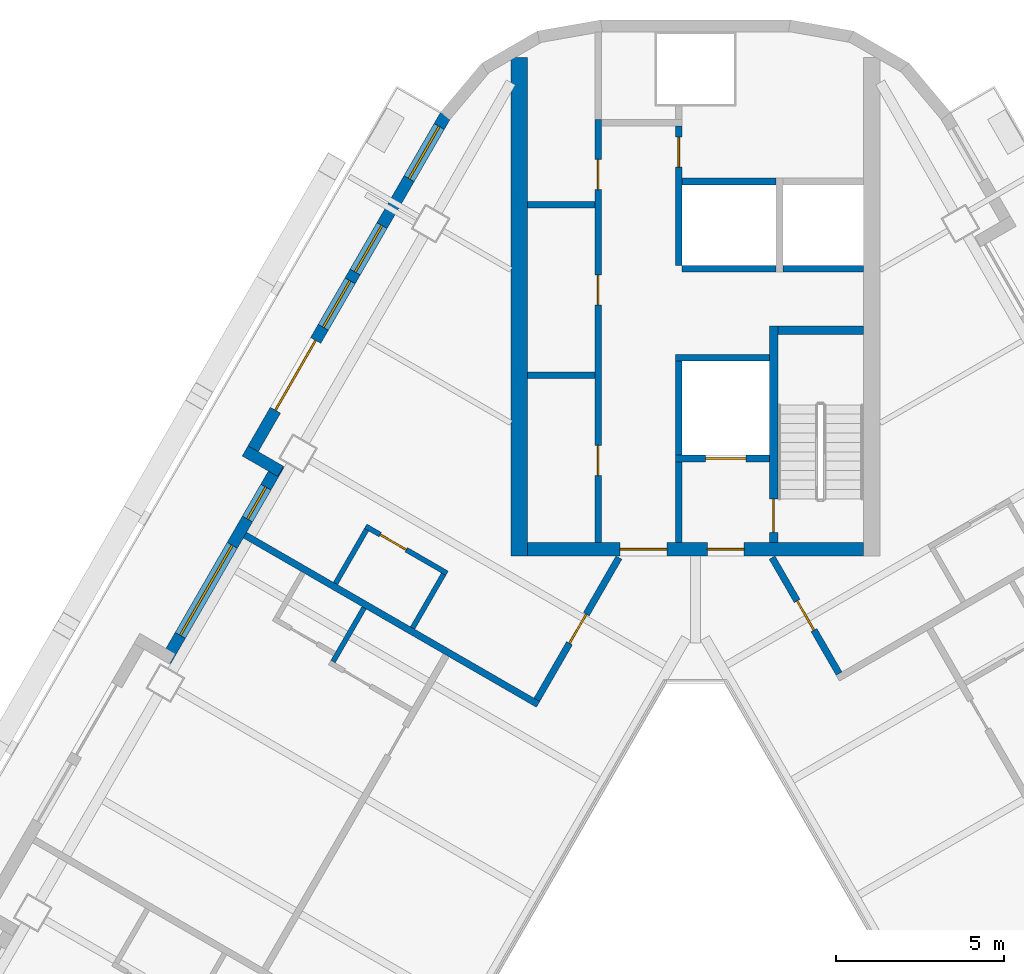
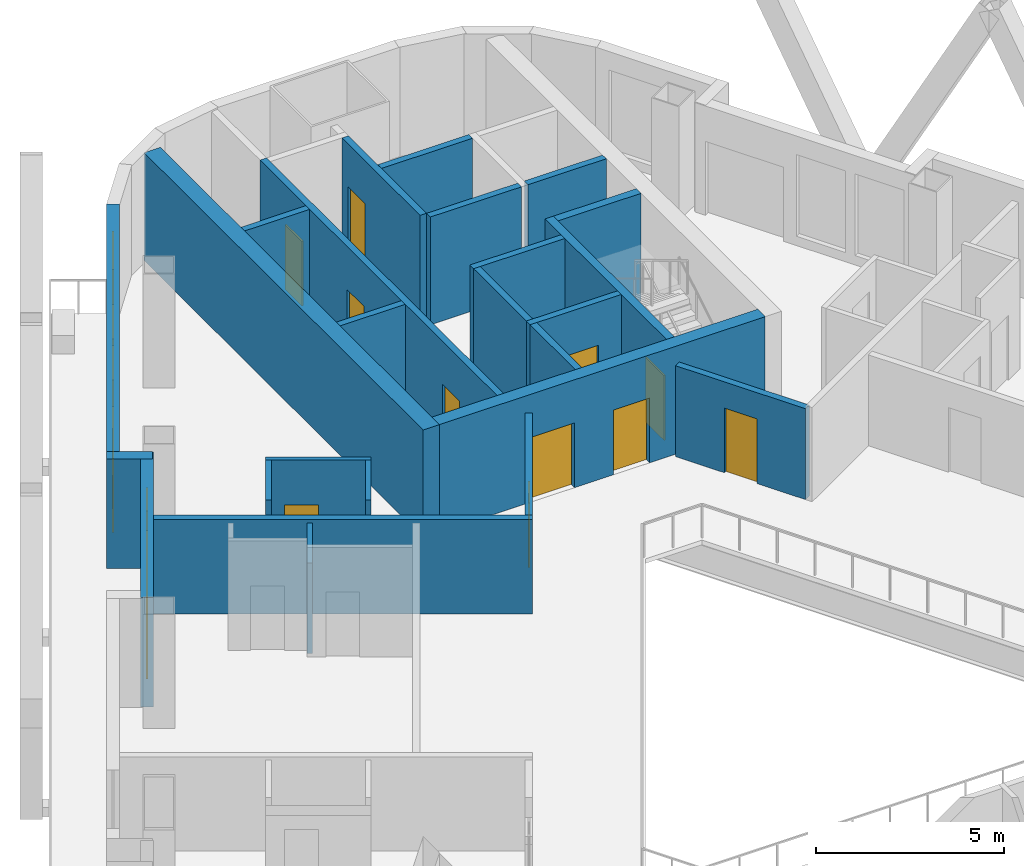
# One storey, part 6 of 13: 25 walls, 12 doors, 5 windows, 17 openings.
"""IFC4 building model written with IfcOpenShell, lengths in metres."""

from ifc_helpers import new_model, si_unit, direction, frame, frame_2d, origin, place, context, subcontext, project, spatial, rectangle, extrude, material, layer, layer_set, type_object, element, fill, save


model = new_model("IFC4")

# Units and contexts
model_context = context("Model", 3, precision=1e-05, world=origin(), true_north=direction((0.0, 1.0)))
body_context = subcontext(model_context, "Body", "Model", "MODEL_VIEW")
ifc_project = project(units=[si_unit("LENGTHUNIT", "METRE"), si_unit("AREAUNIT", "SQUARE_METRE"), si_unit("VOLUMEUNIT", "CUBIC_METRE"), si_unit("PLANEANGLEUNIT", "RADIAN"), si_unit("MASSUNIT", "GRAM", prefix="KILO")], contexts=[model_context])

# Site, building, storey
site_placement = place(None, origin())
site = spatial("IfcSite", under=ifc_project, at=site_placement, CompositionType="ELEMENT")
building_placement = place(site_placement, origin())
building = spatial("IfcBuilding", under=site, at=building_placement, Name="Apuvela Tower Hotel", CompositionType="ELEMENT")
storey_placement = place(building_placement, frame((0.0, 0.0, 183.60009765625)))
storey = spatial("IfcBuildingStorey", under=building, at=storey_placement, Name="L44", CompositionType="ELEMENT", Elevation=183.60009765625)

# Wall, openings, doors
ifc_material_1 = material(Name="Concrete C50/60", Category="concrete")
ifc_layer_1 = layer(ifc_material_1, 0.39990234375)
ifc_layer_set_1 = layer_set([ifc_layer_1], Name="COR-WALL-CORE-400")
wall_type_1 = type_object("IfcWallType", Name="COR-WALL-CORE-400", PredefinedType="SHEAR", material=ifc_layer_set_1)
wall_1_placement = place(storey_placement, frame((5.0, 13.10009765625, 0.0), z_axis=(0.0, 0.0, 1.0), x_axis=(-1.0, 0.0, 0.0)))
wall_1 = element("IfcWall", 1, at=wall_1_placement, inside=storey, type_object=wall_type_1, Name="Core wall N", PredefinedType="SHEAR", context=body_context, shape_type="SweptSolid", body=[
    extrude(rectangle(XDim=10.0, YDim=0.39990234375, at=frame_2d((5.0, 0.0))), origin(), (0.0, 0.0, 1.0), 3.5),
])
opening_1_placement = place(wall_1_placement, frame((3.550048828125, 0.0, 0.0)))
opening_1 = element("IfcOpeningElement", 2, at=opening_1_placement, cuts=wall_1, Name="Opening N-FD", PredefinedType="OPENING", context=body_context, shape_type="SweptSolid", body=[
    extrude(rectangle(XDim=1.10009765625, YDim=2.10009765625, at=frame_2d((0.550048828125, 1.050048828125))), frame((0.0, 0.2099609375, 0.0), z_axis=(0.0, -1.0, 0.0), x_axis=(1.0, 0.0, 0.0)), (0.0, 0.0, 1.0), 0.419921875),
])
opening_2_placement = place(wall_1_placement, frame((5.85009765625, 0.0, 0.0)))
opening_2 = element("IfcOpeningElement", 3, at=opening_2_placement, cuts=wall_1, Name="Opening N-GD", PredefinedType="OPENING", context=body_context, shape_type="SweptSolid", body=[
    extrude(rectangle(XDim=1.39990234375, YDim=2.10009765625, at=frame_2d((0.699951171875, 1.050048828125))), frame((0.0, 0.2099609375, 0.0), z_axis=(0.0, -1.0, 0.0), x_axis=(1.0, 0.0, 0.0)), (0.0, 0.0, 1.0), 0.419921875),
])
ifc_material_2 = material(Name="Steel fire door, powder coated", Category="steel")
door_type_1 = type_object("IfcDoorType", Name="COR-FD-1100", OperationType="NOTDEFINED", PredefinedType="DOOR", material=ifc_material_2)
door_1_placement = place(opening_1_placement, frame((1.10009765625, 0.0, 0.0), z_axis=(0.0, 0.0, 1.0), x_axis=(-1.0, 0.0, 0.0)))
door_1 = element("IfcDoor", 4, at=door_1_placement, inside=storey, type_object=door_type_1, Name="Firefighting lobby door N-FD", OperationType="SINGLE_SWING_LEFT", OverallHeight=2.10009765625, OverallWidth=1.10009765625, PredefinedType="DOOR", context=body_context, shape_type="SweptSolid", body=[
    extrude(rectangle(XDim=1.10009765625, YDim=2.10009765625, at=frame_2d((0.550048828125, 1.050048828125))), frame((0.0, 0.02490234375, 0.0), z_axis=(0.0, -1.0, 0.0), x_axis=(1.0, 0.0, 0.0)), (0.0, 0.0, 1.0), 0.050048828125),
])
fill(opening_1, door_1)
ifc_material_3 = material(Name="Glazed steel fire door", Category="steel")
door_type_2 = type_object("IfcDoorType", Name="COR-GD-1400", OperationType="DOUBLE_DOOR_SINGLE_SWING", PredefinedType="DOOR", material=ifc_material_3)
door_2_placement = place(opening_2_placement, frame((1.39990234375, 0.0, 0.0), z_axis=(0.0, 0.0, 1.0), x_axis=(-1.0, 0.0, 0.0)))
door_2 = element("IfcDoor", 5, at=door_2_placement, inside=storey, type_object=door_type_2, Name="Lift lobby door N-GD", OperationType="DOUBLE_DOOR_SINGLE_SWING", OverallHeight=2.10009765625, OverallWidth=1.39990234375, PredefinedType="DOOR", context=body_context, shape_type="SweptSolid", body=[
    extrude(rectangle(XDim=1.39990234375, YDim=2.10009765625, at=frame_2d((0.699951171875, 1.050048828125))), frame((0.0, 0.02490234375, 0.0), z_axis=(0.0, -1.0, 0.0), x_axis=(1.0, 0.0, 0.0)), (0.0, 0.0, 1.0), 0.050048828125),
])
fill(opening_2, door_2)

# Walls
ifc_layer_2 = layer(ifc_material_1, 0.5)
ifc_layer_set_2 = layer_set([ifc_layer_2], Name="COR-WALL-CORE-500")
wall_type_2 = type_object("IfcWallType", Name="COR-WALL-CORE-500", PredefinedType="SHEAR", material=ifc_layer_set_2)
wall_2_placement = place(storey_placement, frame((-5.25, 12.89990234375, 0.0), z_axis=(0.0, 0.0, 1.0), x_axis=(0.0, 1.0, 0.0)))
element("IfcWall", 6, at=wall_2_placement, inside=storey, type_object=wall_type_2, Name="Core wall N", PredefinedType="SHEAR", context=body_context, shape_type="SweptSolid", body=[
    extrude(rectangle(XDim=14.8369140625, YDim=0.5, at=frame_2d((7.41845703125, 0.0))), origin(), (0.0, 0.0, 1.0), 3.5),
])
ifc_material_4 = material(Name="Blockwork 200 mm plastered", Category="masonry")
ifc_layer_3 = layer(ifc_material_4, 0.199951171875)
ifc_layer_set_3 = layer_set([ifc_layer_3], Name="COR-WALL-PART-200")
wall_type_3 = type_object("IfcWallType", Name="COR-WALL-PART-200", PredefinedType="PARTITIONING", material=ifc_layer_set_3)
wall_3_placement = place(storey_placement, frame((5.0, 21.449951171875, 0.0), z_axis=(0.0, 0.0, 1.0), x_axis=(-1.0, 0.0, 0.0)))
element("IfcWall", 7, at=wall_3_placement, inside=storey, type_object=wall_type_3, Name="Partition N", PredefinedType="PARTITIONING", context=body_context, shape_type="SweptSolid", body=[
    extrude(rectangle(XDim=2.39990234375, YDim=0.199951171875, at=frame_2d((1.199951171875, 0.0))), origin(), (0.0, 0.0, 1.0), 3.5),
])
wall_4_placement = place(storey_placement, frame((2.39990234375, 21.449951171875, 0.0), z_axis=(0.0, 0.0, 1.0), x_axis=(-1.0, 0.0, 0.0)))
element("IfcWall", 8, at=wall_4_placement, inside=storey, type_object=wall_type_3, Name="Partition N", PredefinedType="PARTITIONING", context=body_context, shape_type="SweptSolid", body=[
    extrude(rectangle(XDim=2.7998046875, YDim=0.199951171875, at=frame_2d((1.39990234375, 0.0))), origin(), (0.0, 0.0, 1.0), 3.5),
])
ifc_layer_4 = layer(ifc_material_1, 0.199951171875)
ifc_layer_set_4 = layer_set([ifc_layer_4], Name="COR-WALL-SHAFT-200")
wall_type_4 = type_object("IfcWallType", Name="COR-WALL-SHAFT-200", PredefinedType="SHEAR", material=ifc_layer_set_4)
wall_5_placement = place(storey_placement, frame((2.199951171875, 18.800048828125, 0.0), z_axis=(0.0, 0.0, 1.0), x_axis=(-1.0, 0.0, 0.0)))
element("IfcWall", 9, at=wall_5_placement, inside=storey, type_object=wall_type_4, Name="Shaft wall N", PredefinedType="SHEAR", context=body_context, shape_type="SweptSolid", body=[
    extrude(rectangle(XDim=2.800048828125, YDim=0.199951171875, at=frame_2d((1.39990234375, 0.0))), origin(), (0.0, 0.0, 1.0), 3.5),
])

# Wall, opening, door
wall_6_placement = place(storey_placement, frame((2.199951171875, 15.800048828125, 0.0), z_axis=(0.0, 0.0, 1.0), x_axis=(-1.0, 0.0, 0.0)))
wall_6 = element("IfcWall", 10, at=wall_6_placement, inside=storey, type_object=wall_type_4, Name="Shaft wall N", PredefinedType="SHEAR", context=body_context, shape_type="SweptSolid", body=[
    extrude(rectangle(XDim=2.800048828125, YDim=0.199951171875, at=frame_2d((1.39990234375, 0.0))), origin(), (0.0, 0.0, 1.0), 3.5),
])
opening_3_placement = place(wall_6_placement, frame((0.699951171875, 0.0, 0.0)))
opening_3 = element("IfcOpeningElement", 11, at=opening_3_placement, cuts=wall_6, Name="Opening N-LD-FS1", PredefinedType="OPENING", context=body_context, shape_type="SweptSolid", body=[
    extrude(rectangle(XDim=1.199951171875, YDim=2.10009765625, at=frame_2d((0.60009765625, 1.050048828125))), frame((0.0, 0.10986328125, 0.0), z_axis=(0.0, -1.0, 0.0), x_axis=(1.0, 0.0, 0.0)), (0.0, 0.0, 1.0), 0.219970703125),
])
ifc_material_5 = material(Name="Stainless steel lift landing door", Category="steel")
door_type_3 = type_object("IfcDoorType", Name="COR-LD-1200", OperationType="DOUBLE_DOOR_SLIDING", PredefinedType="DOOR", material=ifc_material_5)
door_3_placement = place(opening_3_placement, origin())
door_3 = element("IfcDoor", 12, at=door_3_placement, inside=storey, type_object=door_type_3, Name="Lift landing door N-LD-FS1", OperationType="DOUBLE_DOOR_SLIDING", OverallHeight=2.10009765625, OverallWidth=1.199951171875, PredefinedType="DOOR", context=body_context, shape_type="SweptSolid", body=[
    extrude(rectangle(XDim=1.199951171875, YDim=2.10009765625, at=frame_2d((0.60009765625, 1.050048828125))), frame((0.0, 0.02490234375, 0.0), z_axis=(0.0, -1.0, 0.0), x_axis=(1.0, 0.0, 0.0)), (0.0, 0.0, 1.0), 0.050048828125),
])
fill(opening_3, door_3)

# Walls
wall_7_placement = place(storey_placement, frame((-0.5, 15.89990234375, 0.0), z_axis=(0.0, 0.0, 1.0), x_axis=(0.0, 1.0, 0.0)))
element("IfcWall", 13, at=wall_7_placement, inside=storey, type_object=wall_type_4, Name="Shaft wall N", PredefinedType="SHEAR", context=body_context, shape_type="SweptSolid", body=[
    extrude(rectangle(XDim=2.800048828125, YDim=0.199951171875, at=frame_2d((1.39990234375, 0.0))), origin(), (0.0, 0.0, 1.0), 3.5),
])
wall_8_placement = place(storey_placement, frame((-0.5, 13.300048828125, 0.0), z_axis=(0.0, 0.0, 1.0), x_axis=(0.0, 1.0, 0.0)))
element("IfcWall", 14, at=wall_8_placement, inside=storey, type_object=wall_type_4, Name="Shaft wall N", PredefinedType="SHEAR", context=body_context, shape_type="SweptSolid", body=[
    extrude(rectangle(XDim=2.39990234375, YDim=0.199951171875, at=frame_2d((1.199951171875, 0.0))), origin(), (0.0, 0.0, 1.0), 3.5),
])

# Wall, openings, doors
wall_9_placement = place(storey_placement, frame((-2.89990234375, 13.300048828125, 0.0), z_axis=(0.0, 0.0, 1.0), x_axis=(0.0, 1.0, 0.0)))
wall_9 = element("IfcWall", 15, at=wall_9_placement, inside=storey, type_object=wall_type_4, Name="Shaft wall N", PredefinedType="SHEAR", context=body_context, shape_type="SweptSolid", body=[
    extrude(rectangle(XDim=12.599853515625, YDim=0.199951171875, at=frame_2d((6.2998046875, 0.0))), origin(), (0.0, 0.0, 1.0), 3.5),
])
opening_4_placement = place(wall_9_placement, frame((1.989990234375, 0.0, 0.0)))
opening_4 = element("IfcOpeningElement", 16, at=opening_4_placement, cuts=wall_9, Name="Opening N-RE1", PredefinedType="OPENING", context=body_context, shape_type="SweptSolid", body=[
    extrude(rectangle(XDim=0.89990234375, YDim=2.10009765625, at=frame_2d((0.449951171875, 1.050048828125))), frame((0.0, 0.10986328125, 0.0), z_axis=(0.0, -1.0, 0.0), x_axis=(1.0, 0.0, 0.0)), (0.0, 0.0, 1.0), 0.219970703125),
])
opening_5_placement = place(wall_9_placement, frame((7.070068359375, 0.0, 0.0)))
opening_5 = element("IfcOpeningElement", 17, at=opening_5_placement, cuts=wall_9, Name="Opening N-RE3", PredefinedType="OPENING", context=body_context, shape_type="SweptSolid", body=[
    extrude(rectangle(XDim=0.89990234375, YDim=2.10009765625, at=frame_2d((0.449951171875, 1.050048828125))), frame((0.0, 0.10986328125, 0.0), z_axis=(0.0, -1.0, 0.0), x_axis=(1.0, 0.0, 0.0)), (0.0, 0.0, 1.0), 0.219970703125),
])
opening_6_placement = place(wall_9_placement, frame((10.510009765625, 0.0, 0.0)))
opening_6 = element("IfcOpeningElement", 18, at=opening_6_placement, cuts=wall_9, Name="Opening N-REP", PredefinedType="OPENING", context=body_context, shape_type="SweptSolid", body=[
    extrude(rectangle(XDim=0.89990234375, YDim=2.10009765625, at=frame_2d((0.449951171875, 1.050048828125))), frame((0.0, 0.10986328125, 0.0), z_axis=(0.0, -1.0, 0.0), x_axis=(1.0, 0.0, 0.0)), (0.0, 0.0, 1.0), 0.219970703125),
])
door_type_4 = type_object("IfcDoorType", Name="COR-DR-900", OperationType="NOTDEFINED", PredefinedType="DOOR", material=ifc_material_2)
door_4_placement = place(opening_4_placement, origin())
door_4 = element("IfcDoor", 19, at=door_4_placement, inside=storey, type_object=door_type_4, Name="Store door N-RE1", OperationType="SINGLE_SWING_LEFT", OverallHeight=2.10009765625, OverallWidth=0.89990234375, PredefinedType="DOOR", context=body_context, shape_type="SweptSolid", body=[
    extrude(rectangle(XDim=0.89990234375, YDim=2.10009765625, at=frame_2d((0.449951171875, 1.050048828125))), frame((0.0, 0.02490234375, 0.0), z_axis=(0.0, -1.0, 0.0), x_axis=(1.0, 0.0, 0.0)), (0.0, 0.0, 1.0), 0.050048828125),
])
fill(opening_4, door_4)
door_5_placement = place(opening_5_placement, origin())
door_5 = element("IfcDoor", 20, at=door_5_placement, inside=storey, type_object=door_type_4, Name="Store door N-RE3", OperationType="SINGLE_SWING_LEFT", OverallHeight=2.10009765625, OverallWidth=0.89990234375, PredefinedType="DOOR", context=body_context, shape_type="SweptSolid", body=[
    extrude(rectangle(XDim=0.89990234375, YDim=2.10009765625, at=frame_2d((0.449951171875, 1.050048828125))), frame((0.0, 0.02490234375, 0.0), z_axis=(0.0, -1.0, 0.0), x_axis=(1.0, 0.0, 0.0)), (0.0, 0.0, 1.0), 0.050048828125),
])
fill(opening_5, door_5)
door_6_placement = place(opening_6_placement, origin())
door_6 = element("IfcDoor", 21, at=door_6_placement, inside=storey, type_object=door_type_4, Name="Store door N-REP", OperationType="SINGLE_SWING_RIGHT", OverallHeight=2.10009765625, OverallWidth=0.89990234375, PredefinedType="DOOR", context=body_context, shape_type="SweptSolid", body=[
    extrude(rectangle(XDim=0.89990234375, YDim=2.10009765625, at=frame_2d((0.449951171875, 1.050048828125))), frame((0.0, 0.02490234375, 0.0), z_axis=(0.0, -1.0, 0.0), x_axis=(1.0, 0.0, 0.0)), (0.0, 0.0, 1.0), 0.050048828125),
])
fill(opening_6, door_6)

# Wall, opening, door
wall_10_placement = place(storey_placement, frame((-0.5, 21.550048828125, 0.0), z_axis=(0.0, 0.0, 1.0), x_axis=(0.0, 1.0, 0.0)))
wall_10 = element("IfcWall", 22, at=wall_10_placement, inside=storey, type_object=wall_type_4, Name="Shaft wall N", PredefinedType="SHEAR", context=body_context, shape_type="SweptSolid", body=[
    extrude(rectangle(XDim=4.14990234375, YDim=0.199951171875, at=frame_2d((2.074951171875, 0.0))), origin(), (0.0, 0.0, 1.0), 3.5),
])
opening_7_placement = place(wall_10_placement, frame((2.925048828125, 0.0, 0.0)))
opening_7 = element("IfcOpeningElement", 23, at=opening_7_placement, cuts=wall_10, Name="Opening N-RSP", PredefinedType="OPENING", context=body_context, shape_type="SweptSolid", body=[
    extrude(rectangle(XDim=0.89990234375, YDim=2.10009765625, at=frame_2d((0.449951171875, 1.050048828125))), frame((0.0, 0.10986328125, 0.0), z_axis=(0.0, -1.0, 0.0), x_axis=(1.0, 0.0, 0.0)), (0.0, 0.0, 1.0), 0.219970703125),
])
door_7_placement = place(opening_7_placement, frame((0.89990234375, 0.0, 0.0), z_axis=(0.0, 0.0, 1.0), x_axis=(-1.0, 0.0, 0.0)))
door_7 = element("IfcDoor", 24, at=door_7_placement, inside=storey, type_object=door_type_4, Name="Store door N-RSP", OperationType="SINGLE_SWING_LEFT", OverallHeight=2.10009765625, OverallWidth=0.89990234375, PredefinedType="DOOR", context=body_context, shape_type="SweptSolid", body=[
    extrude(rectangle(XDim=0.89990234375, YDim=2.10009765625, at=frame_2d((0.449951171875, 1.050048828125))), frame((0.0, 0.02490234375, 0.0), z_axis=(0.0, -1.0, 0.0), x_axis=(1.0, 0.0, 0.0)), (0.0, 0.0, 1.0), 0.050048828125),
])
fill(opening_7, door_7)

# Walls
for number, where, z_axis, x_axis, name in (
    (25, (-3.0, 18.280029296875, 0.0), (0.0, 0.0, 1.0), (-1.0, 0.0, 0.0), "Shaft wall N"),
    (26, (-3.0, 23.360107421875, 0.0), (0.0, 0.0, 1.0), (-1.0, 0.0, 0.0), "Shaft wall N"),
):
    element("IfcWall", number, at=place(storey_placement, frame(where, z_axis=z_axis, x_axis=x_axis)), inside=storey, type_object=wall_type_4, Name=name, PredefinedType="SHEAR", context=body_context, shape_type="SweptSolid", body=[
        extrude(rectangle(XDim=2.0, YDim=0.199951171875, at=frame_2d((1.0, 0.0))), origin(), (0.0, 0.0, 1.0), 3.5),
    ])
wall_11_placement = place(storey_placement, frame((2.39990234375, 24.050048828125, 0.0), z_axis=(0.0, 0.0, 1.0), x_axis=(-1.0, 0.0, 0.0)))
element("IfcWall", 27, at=wall_11_placement, inside=storey, type_object=wall_type_4, Name="Shaft wall N", PredefinedType="SHEAR", context=body_context, shape_type="SweptSolid", body=[
    extrude(rectangle(XDim=2.7998046875, YDim=0.199951171875, at=frame_2d((1.39990234375, 0.0))), origin(), (0.0, 0.0, 1.0), 3.5),
])

# Wall, opening, door
ifc_layer_5 = layer(ifc_material_1, 0.25)
ifc_layer_set_5 = layer_set([ifc_layer_5], Name="COR-WALL-STAIR-250")
wall_type_5 = type_object("IfcWallType", Name="COR-WALL-STAIR-250", PredefinedType="SHEAR", material=ifc_layer_set_5)
wall_12_placement = place(storey_placement, frame((2.324951171875, 13.300048828125, 0.0), z_axis=(0.0, 0.0, 1.0), x_axis=(0.0, 1.0, 0.0)))
wall_12 = element("IfcWall", 28, at=wall_12_placement, inside=storey, type_object=wall_type_5, Name="Stair wall N", PredefinedType="SHEAR", context=body_context, shape_type="SweptSolid", body=[
    extrude(rectangle(XDim=6.449951171875, YDim=0.25, at=frame_2d((3.22509765625, 0.0))), origin(), (0.0, 0.0, 1.0), 3.5),
])
opening_8_placement = place(wall_12_placement, frame((0.300048828125, 0.0, 0.0)))
opening_8 = element("IfcOpeningElement", 29, at=opening_8_placement, cuts=wall_12, Name="Opening N-SD", PredefinedType="OPENING", context=body_context, shape_type="SweptSolid", body=[
    extrude(rectangle(XDim=1.0, YDim=2.10009765625, at=frame_2d((0.5, 1.050048828125))), frame((0.0, 0.135009765625, 0.0), z_axis=(0.0, -1.0, 0.0), x_axis=(1.0, 0.0, 0.0)), (0.0, 0.0, 1.0), 0.27001953125),
])
door_type_5 = type_object("IfcDoorType", Name="COR-SD-1000", OperationType="NOTDEFINED", PredefinedType="DOOR", material=ifc_material_2)
door_8_placement = place(opening_8_placement, frame((1.0, 0.0, 0.0), z_axis=(0.0, 0.0, 1.0), x_axis=(-1.0, 0.0, 0.0)))
door_8 = element("IfcDoor", 30, at=door_8_placement, inside=storey, type_object=door_type_5, Name="Stair door N-SD", OperationType="SINGLE_SWING_LEFT", OverallHeight=2.10009765625, OverallWidth=1.0, PredefinedType="DOOR", context=body_context, shape_type="SweptSolid", body=[
    extrude(rectangle(XDim=1.0, YDim=2.10009765625, at=frame_2d((0.5, 1.050048828125))), frame((0.0, 0.02490234375, 0.0), z_axis=(0.0, -1.0, 0.0), x_axis=(1.0, 0.0, 0.0)), (0.0, 0.0, 1.0), 0.050048828125),
])
fill(opening_8, door_8)

# Wall
wall_13_placement = place(storey_placement, frame((5.0, 19.625, 0.0), z_axis=(0.0, 0.0, 1.0), x_axis=(-1.0, 0.0, 0.0)))
element("IfcWall", 31, at=wall_13_placement, inside=storey, type_object=wall_type_5, Name="Stair wall N", PredefinedType="SHEAR", context=body_context, shape_type="SweptSolid", body=[
    extrude(rectangle(XDim=2.550048828125, YDim=0.25, at=frame_2d((1.27490234375, 0.0))), origin(), (0.0, 0.0, 1.0), 3.5),
])

# Wall, openings, door, windows
ifc_material_6 = material(Name="Concrete C40/50, dark pigmented precast panel", Category="concrete")
ifc_layer_6 = layer(ifc_material_6, 0.35009765625)
ifc_layer_set_6 = layer_set([ifc_layer_6], Name="ENV-WALL-350")
wall_type_6 = type_object("IfcWallType", Name="ENV-WALL-350", PredefinedType="SOLIDWALL", material=ifc_layer_set_6)
wall_14_placement = place(storey_placement, frame((-7.440673828125, 26.0224609375, 0.0), z_axis=(0.0, 0.0, 1.0), x_axis=(-0.499992533062, -0.86602971478, 0.0)))
wall_14 = element("IfcWall", 32, at=wall_14_placement, inside=storey, type_object=wall_type_6, Name="External wall L44-01", PredefinedType="SOLIDWALL", context=body_context, shape_type="SweptSolid", body=[
    extrude(rectangle(XDim=11.815673828125, YDim=0.35009765625, at=frame_2d((5.90771484375, 0.0))), origin(), (0.0, 0.0, 1.0), 3.5498046875),
])
opening_9_placement = place(wall_14_placement, frame((0.381103515625, 0.0, 0.300048828125)))
opening_9 = element("IfcOpeningElement", 33, at=opening_9_placement, cuts=wall_14, Name="Opening WN18", PredefinedType="OPENING", context=body_context, shape_type="SweptSolid", body=[
    extrude(rectangle(XDim=1.800048828125, YDim=2.64990234375, at=frame_2d((0.89990234375, 1.324951171875))), frame((0.0, 0.18505859375, 0.0), z_axis=(0.0, -1.0, 0.0), x_axis=(1.0, 0.0, 0.0)), (0.0, 0.0, 1.0), 0.3701171875),
])
opening_10_placement = place(wall_14_placement, frame((7.740478515625, 0.0, 0.0)))
opening_10 = element("IfcOpeningElement", 34, at=opening_10_placement, cuts=wall_14, Name="Opening BD24", PredefinedType="OPENING", context=body_context, shape_type="SweptSolid", body=[
    extrude(rectangle(XDim=2.39990234375, YDim=2.39990234375, at=frame_2d((1.199951171875, 1.199951171875))), frame((0.0, 0.18505859375, 0.0), z_axis=(0.0, -1.0, 0.0), x_axis=(1.0, 0.0, 0.0)), (0.0, 0.0, 1.0), 0.3701171875),
])
opening_11_placement = place(wall_14_placement, frame((3.791015625, 0.0, 0.300048828125)))
opening_11 = element("IfcOpeningElement", 35, at=opening_11_placement, cuts=wall_14, Name="Opening WN16", PredefinedType="OPENING", context=body_context, shape_type="SweptSolid", body=[
    extrude(rectangle(XDim=1.60009765625, YDim=2.64990234375, at=frame_2d((0.800048828125, 1.324951171875))), frame((0.0, 0.18505859375, 0.0), z_axis=(0.0, -1.0, 0.0), x_axis=(1.0, 0.0, 0.0)), (0.0, 0.0, 1.0), 0.3701171875),
])
opening_12_placement = place(wall_14_placement, frame((5.69091796875, 0.0, 0.300048828125)))
opening_12 = element("IfcOpeningElement", 36, at=opening_12_placement, cuts=wall_14, Name="Opening WN16", PredefinedType="OPENING", context=body_context, shape_type="SweptSolid", body=[
    extrude(rectangle(XDim=1.60009765625, YDim=2.64990234375, at=frame_2d((0.800048828125, 1.324951171875))), frame((0.0, 0.18505859375, 0.0), z_axis=(0.0, -1.0, 0.0), x_axis=(1.0, 0.0, 0.0)), (0.0, 0.0, 1.0), 0.3701171875),
])
ifc_material_7 = material(Name="Aluminium 6063-T6, dark bronze anodised frame with dark tinted laminated glass", Category="aluminium")
door_type_6 = type_object("IfcDoorType", Name="ENV-DOOR-BALCONY-2400x2400", OperationType="SLIDING_TO_LEFT", PredefinedType="DOOR", material=ifc_material_7)
door_9_placement = place(opening_10_placement, frame((2.39990234375, 0.0, 0.0), z_axis=(0.0, 0.0, 1.0), x_axis=(-1.0, 0.0, 0.0)))
door_9 = element("IfcDoor", 37, at=door_9_placement, inside=storey, type_object=door_type_6, Name="Balcony door BD24", OperationType="SLIDING_TO_LEFT", OverallHeight=2.39990234375, OverallWidth=2.39990234375, PredefinedType="DOOR", context=body_context, shape_type="SweptSolid", body=[
    extrude(rectangle(XDim=2.39990234375, YDim=2.39990234375, at=frame_2d((1.199951171875, 1.199951171875))), frame((0.0, 0.02490234375, 0.0), z_axis=(0.0, -1.0, 0.0), x_axis=(1.0, 0.0, 0.0)), (0.0, 0.0, 1.0), 0.050048828125),
])
fill(opening_10, door_9)
ifc_material_8 = material(Name="Glass, dark tinted laminated insulated glazing unit", Category="glass")
window_type_1 = type_object("IfcWindowType", Name="ENV-WIN-1600x2650", PartitioningType="SINGLE_PANEL", PredefinedType="WINDOW", material=ifc_material_8)
window_1_placement = place(opening_11_placement, origin())
window_1 = element("IfcWindow", 38, at=window_1_placement, inside=storey, type_object=window_type_1, Name="Window WN16", OverallHeight=2.64990234375, OverallWidth=1.60009765625, PartitioningType="SINGLE_PANEL", PredefinedType="WINDOW", context=body_context, shape_type="SweptSolid", body=[
    extrude(rectangle(XDim=1.60009765625, YDim=2.64990234375, at=frame_2d((0.800048828125, 1.324951171875))), frame((0.0, 0.030029296875, 0.0), z_axis=(0.0, -1.0, 0.0), x_axis=(1.0, 0.0, 0.0)), (0.0, 0.0, 1.0), 0.06005859375),
])
fill(opening_11, window_1)
window_2_placement = place(opening_12_placement, origin())
window_2 = element("IfcWindow", 39, at=window_2_placement, inside=storey, type_object=window_type_1, Name="Window WN16", OverallHeight=2.64990234375, OverallWidth=1.60009765625, PartitioningType="SINGLE_PANEL", PredefinedType="WINDOW", context=body_context, shape_type="SweptSolid", body=[
    extrude(rectangle(XDim=1.60009765625, YDim=2.64990234375, at=frame_2d((0.800048828125, 1.324951171875))), frame((0.0, 0.030029296875, 0.0), z_axis=(0.0, -1.0, 0.0), x_axis=(1.0, 0.0, 0.0)), (0.0, 0.0, 1.0), 0.06005859375),
])
fill(opening_12, window_2)
window_type_2 = type_object("IfcWindowType", Name="ENV-WIN-1800x2650", PartitioningType="SINGLE_PANEL", PredefinedType="WINDOW", material=ifc_material_8)
window_3_placement = place(opening_9_placement, origin())
window_3 = element("IfcWindow", 40, at=window_3_placement, inside=storey, type_object=window_type_2, Name="Window WN18", OverallHeight=2.64990234375, OverallWidth=1.800048828125, PartitioningType="SINGLE_PANEL", PredefinedType="WINDOW", context=body_context, shape_type="SweptSolid", body=[
    extrude(rectangle(XDim=1.800048828125, YDim=2.64990234375, at=frame_2d((0.89990234375, 1.324951171875))), frame((0.0, 0.030029296875, 0.0), z_axis=(0.0, -1.0, 0.0), x_axis=(1.0, 0.0, 0.0)), (0.0, 0.0, 1.0), 0.06005859375),
])
fill(opening_9, window_3)

# Wall
wall_15_placement = place(storey_placement, frame((-13.41259765625, 16.02880859375, 0.0), z_axis=(0.0, 0.0, 1.0), x_axis=(0.866005645448, -0.500034220881, 0.0)))
element("IfcWall", 41, at=wall_15_placement, inside=storey, type_object=wall_type_6, Name="External wall L44-02", PredefinedType="SOLIDWALL", context=body_context, shape_type="SweptSolid", body=[
    extrude(rectangle(XDim=1.22021484375, YDim=0.35009765625, at=frame_2d((0.610107421875, 0.0))), origin(), (0.0, 0.0, 1.0), 3.5498046875),
])

# Wall, openings, windows
wall_16_placement = place(storey_placement, frame((-12.408935546875, 15.616943359375, 0.0), z_axis=(0.0, 0.0, 1.0), x_axis=(-0.500003597184, -0.866023326939, 0.0)))
wall_16 = element("IfcWall", 42, at=wall_16_placement, inside=storey, type_object=wall_type_6, Name="External wall L44-03", PredefinedType="SOLIDWALL", context=body_context, shape_type="SweptSolid", body=[
    extrude(rectangle(XDim=6.740234375, YDim=0.35009765625, at=frame_2d((3.3701171875, 0.0))), origin(), (0.0, 0.0, 1.0), 3.5498046875),
])
opening_13_placement = place(wall_16_placement, frame((0.77001953125, 0.0, 0.300048828125)))
opening_13 = element("IfcOpeningElement", 43, at=opening_13_placement, cuts=wall_16, Name="Opening WN11", PredefinedType="OPENING", context=body_context, shape_type="SweptSolid", body=[
    extrude(rectangle(XDim=1.10009765625, YDim=2.64990234375, at=frame_2d((0.550048828125, 1.324951171875))), frame((0.0, 0.18505859375, 0.0), z_axis=(0.0, -1.0, 0.0), x_axis=(1.0, 0.0, 0.0)), (0.0, 0.0, 1.0), 0.3701171875),
])
opening_14_placement = place(wall_16_placement, frame((2.770263671875, 0.0, 0.300048828125)))
opening_14 = element("IfcOpeningElement", 44, at=opening_14_placement, cuts=wall_16, Name="Opening WN31", PredefinedType="OPENING", context=body_context, shape_type="SweptSolid", body=[
    extrude(rectangle(XDim=3.10009765625, YDim=2.64990234375, at=frame_2d((1.550048828125, 1.324951171875))), frame((0.0, 0.18505859375, 0.0), z_axis=(0.0, -1.0, 0.0), x_axis=(1.0, 0.0, 0.0)), (0.0, 0.0, 1.0), 0.3701171875),
])
window_type_3 = type_object("IfcWindowType", Name="ENV-WIN-1100x2650", PartitioningType="SINGLE_PANEL", PredefinedType="WINDOW", material=ifc_material_8)
window_4_placement = place(opening_13_placement, origin())
window_4 = element("IfcWindow", 45, at=window_4_placement, inside=storey, type_object=window_type_3, Name="Window WN11", OverallHeight=2.64990234375, OverallWidth=1.10009765625, PartitioningType="SINGLE_PANEL", PredefinedType="WINDOW", context=body_context, shape_type="SweptSolid", body=[
    extrude(rectangle(XDim=1.10009765625, YDim=2.64990234375, at=frame_2d((0.550048828125, 1.324951171875))), frame((0.0, 0.030029296875, 0.0), z_axis=(0.0, -1.0, 0.0), x_axis=(1.0, 0.0, 0.0)), (0.0, 0.0, 1.0), 0.06005859375),
])
fill(opening_13, window_4)
window_type_4 = type_object("IfcWindowType", Name="ENV-WIN-3100x2650", PartitioningType="SINGLE_PANEL", PredefinedType="WINDOW", material=ifc_material_8)
window_5_placement = place(opening_14_placement, origin())
window_5 = element("IfcWindow", 46, at=window_5_placement, inside=storey, type_object=window_type_4, Name="Window WN31", OverallHeight=2.64990234375, OverallWidth=3.10009765625, PartitioningType="SINGLE_PANEL", PredefinedType="WINDOW", context=body_context, shape_type="SweptSolid", body=[
    extrude(rectangle(XDim=3.10009765625, YDim=2.64990234375, at=frame_2d((1.550048828125, 1.324951171875))), frame((0.0, 0.030029296875, 0.0), z_axis=(0.0, -1.0, 0.0), x_axis=(1.0, 0.0, 0.0)), (0.0, 0.0, 1.0), 0.06005859375),
])
fill(opening_14, window_5)

# Wall
ifc_material_9 = material(Name="Gypsum board partition on twin steel stud", Category="steel")
ifc_layer_7 = layer(ifc_material_9, 0.199951171875)
ifc_layer_set_7 = layer_set([ifc_layer_7], Name="GST-PW1")
wall_type_7 = type_object("IfcWallType", Name="GST-PW1", PredefinedType="PARTITIONING", material=ifc_layer_set_7)
wall_17_placement = place(storey_placement, frame((-13.41748046875, 13.52001953125, 0.0), z_axis=(0.0, 0.0, 1.0), x_axis=(0.866022637375, -0.500004791531, 0.0)))
element("IfcWall", 47, at=wall_17_placement, inside=storey, type_object=wall_type_7, Name="L44 partition 05", PredefinedType="PARTITIONING", context=body_context, shape_type="SweptSolid", body=[
    extrude(rectangle(XDim=10.080078125, YDim=0.199951171875, at=frame_2d((5.0400390625, 0.0))), origin(), (0.0, 0.0, 1.0), 3.059814453125),
])

# Wall, opening, door
ifc_material_10 = material(Name="Gypsum board corridor wall on twin steel stud, acoustic", Category="steel")
ifc_layer_8 = layer(ifc_material_10, 0.199951171875)
ifc_layer_set_8 = layer_set([ifc_layer_8], Name="GST-PW2")
wall_type_8 = type_object("IfcWallType", Name="GST-PW2", PredefinedType="PARTITIONING", material=ifc_layer_set_8)
wall_18_placement = place(storey_placement, frame((2.280517578125, 12.85009765625, 0.0), z_axis=(0.0, 0.0, 1.0), x_axis=(0.500010364181, -0.866019419939, 0.0)))
wall_18 = element("IfcWall", 48, at=wall_18_placement, inside=storey, type_object=wall_type_8, Name="L44 partition 27", PredefinedType="PARTITIONING", context=body_context, shape_type="SweptSolid", body=[
    extrude(rectangle(XDim=3.98828125, YDim=0.199951171875, at=frame_2d((1.994140625, 0.0))), origin(), (0.0, 0.0, 1.0), 2.949951171875),
])
opening_15_placement = place(wall_18_placement, frame((1.494140625, 0.0, 0.0)))
opening_15 = element("IfcOpeningElement", 49, at=opening_15_placement, cuts=wall_18, Name="Opening GD17-13", PredefinedType="OPENING", context=body_context, shape_type="SweptSolid", body=[
    extrude(rectangle(XDim=1.0, YDim=2.10009765625, at=frame_2d((0.5, 1.050048828125))), frame((0.0, 0.10986328125, 0.0), z_axis=(0.0, -1.0, 0.0), x_axis=(1.0, 0.0, 0.0)), (0.0, 0.0, 1.0), 0.219970703125),
])
ifc_material_11 = material(Name="Timber door leaf in steel frame", Category="steel")
door_type_7 = type_object("IfcDoorType", Name="GST-D1", OperationType="NOTDEFINED", PredefinedType="DOOR", material=ifc_material_11)
door_10_placement = place(opening_15_placement, origin())
door_10 = element("IfcDoor", 50, at=door_10_placement, inside=storey, type_object=door_type_7, Name="Door L44-13", OperationType="SINGLE_SWING_RIGHT", OverallHeight=2.10009765625, OverallWidth=1.0, PredefinedType="DOOR", context=body_context, shape_type="SweptSolid", body=[
    extrude(rectangle(XDim=1.0, YDim=2.10009765625, at=frame_2d((0.5, 1.050048828125))), frame((0.0, 0.02490234375, 0.0), z_axis=(0.0, -1.0, 0.0), x_axis=(1.0, 0.0, 0.0)), (0.0, 0.0, 1.0), 0.050048828125),
])
fill(opening_15, door_10)

wall_19_placement = place(storey_placement, frame((-4.724609375, 8.61669921875, 0.0), z_axis=(0.0, 0.0, 1.0), x_axis=(0.499990498062, 0.866030889661, 0.0)))
wall_19 = element("IfcWall", 51, at=wall_19_placement, inside=storey, type_object=wall_type_8, Name="L44 partition 31", PredefinedType="PARTITIONING", context=body_context, shape_type="SweptSolid", body=[
    extrude(rectangle(XDim=4.88818359375, YDim=0.199951171875, at=frame_2d((2.444091796875, 0.0))), origin(), (0.0, 0.0, 1.0), 2.949951171875),
])
opening_16_placement = place(wall_19_placement, frame((1.944091796875, 0.0, 0.0)))
opening_16 = element("IfcOpeningElement", 52, at=opening_16_placement, cuts=wall_19, Name="Opening GD17-15", PredefinedType="OPENING", context=body_context, shape_type="SweptSolid", body=[
    extrude(rectangle(XDim=1.0, YDim=2.10009765625, at=frame_2d((0.5, 1.050048828125))), frame((0.0, 0.10986328125, 0.0), z_axis=(0.0, -1.0, 0.0), x_axis=(1.0, 0.0, 0.0)), (0.0, 0.0, 1.0), 0.219970703125),
])
door_11_placement = place(opening_16_placement, origin())
door_11 = element("IfcDoor", 53, at=door_11_placement, inside=storey, type_object=door_type_7, Name="Door L44-15", OperationType="SINGLE_SWING_LEFT", OverallHeight=2.10009765625, OverallWidth=1.0, PredefinedType="DOOR", context=body_context, shape_type="SweptSolid", body=[
    extrude(rectangle(XDim=1.0, YDim=2.10009765625, at=frame_2d((0.5, 1.050048828125))), frame((0.0, 0.02490234375, 0.0), z_axis=(0.0, -1.0, 0.0), x_axis=(1.0, 0.0, 0.0)), (0.0, 0.0, 1.0), 0.050048828125),
])
fill(opening_16, door_11)

ifc_material_12 = material(Name="Moisture-resistant gypsum board wet wall on steel stud", Category="steel")
ifc_layer_9 = layer(ifc_material_12, 0.14990234375)
ifc_layer_set_9 = layer_set([ifc_layer_9], Name="GST-PW3")
wall_type_9 = type_object("IfcWallType", Name="GST-PW3", PredefinedType="PARTITIONING", material=ifc_layer_set_9)
wall_20_placement = place(storey_placement, frame((-7.3994140625, 12.3837890625, 0.0), z_axis=(0.0, 0.0, 1.0), x_axis=(-0.866034573852, 0.49998411664, 0.0)))
wall_20 = element("IfcWall", 54, at=wall_20_placement, inside=storey, type_object=wall_type_9, Name="L44 partition 32", PredefinedType="PARTITIONING", context=body_context, shape_type="SweptSolid", body=[
    extrude(rectangle(XDim=2.7998046875, YDim=0.14990234375, at=frame_2d((1.39990234375, 0.0))), origin(), (0.0, 0.0, 1.0), 3.5498046875),
])
opening_17_placement = place(wall_20_placement, frame((1.39990234375, 0.0, 0.0)))
opening_17 = element("IfcOpeningElement", 55, at=opening_17_placement, cuts=wall_20, Name="Opening GD17-14", PredefinedType="OPENING", context=body_context, shape_type="SweptSolid", body=[
    extrude(rectangle(XDim=0.89990234375, YDim=2.10009765625, at=frame_2d((0.449951171875, 1.050048828125))), frame((0.0, 0.0849609375, 0.0), z_axis=(0.0, -1.0, 0.0), x_axis=(1.0, 0.0, 0.0)), (0.0, 0.0, 1.0), 0.169921875),
])
door_type_8 = type_object("IfcDoorType", Name="GST-D2", OperationType="NOTDEFINED", PredefinedType="DOOR", material=ifc_material_11)
door_12_placement = place(opening_17_placement, origin())
door_12 = element("IfcDoor", 56, at=door_12_placement, inside=storey, type_object=door_type_8, Name="Door L44-14", OperationType="SINGLE_SWING_RIGHT", OverallHeight=2.10009765625, OverallWidth=0.89990234375, PredefinedType="DOOR", context=body_context, shape_type="SweptSolid", body=[
    extrude(rectangle(XDim=0.89990234375, YDim=2.10009765625, at=frame_2d((0.449951171875, 1.050048828125))), frame((0.0, 0.02490234375, 0.0), z_axis=(0.0, -1.0, 0.0), x_axis=(1.0, 0.0, 0.0)), (0.0, 0.0, 1.0), 0.050048828125),
])
fill(opening_17, door_12)

# Walls
for number, where, z_axis, x_axis, name in (
    (57, (-9.796875, 13.681396484375, 0.0), (0.0, 0.0, 1.0), (-0.499886193382, -0.866091100096, 0.0), "L44 partition 33"),
    (58, (-7.501953125, 12.3564453125, 0.0), (0.0, 0.0, 1.0), (-0.499985172903, -0.866033964044, 0.0), "L44 partition 34"),
):
    element("IfcWall", number, at=place(storey_placement, frame(where, z_axis=z_axis, x_axis=x_axis)), inside=storey, type_object=wall_type_9, Name=name, PredefinedType="PARTITIONING", context=body_context, shape_type="SweptSolid", body=[
        extrude(rectangle(XDim=1.85009765625, YDim=0.14990234375, at=frame_2d((0.925048828125, 0.0))), origin(), (0.0, 0.0, 1.0), 3.5498046875),
    ])
wall_21_placement = place(storey_placement, frame((-9.869140625, 11.35595703125, 0.0), z_axis=(0.0, 0.0, 1.0), x_axis=(-0.500042316284, -0.866000971088, 0.0)))
element("IfcWall", 59, at=wall_21_placement, inside=storey, type_object=wall_type_9, Name="L44 partition 37", PredefinedType="PARTITIONING", context=body_context, shape_type="SweptSolid", body=[
    extrude(rectangle(XDim=1.849853515625, YDim=0.14990234375, at=frame_2d((0.9248046875, 0.0))), origin(), (0.0, 0.0, 1.0), 2.949951171875),
])

save(model, "model.ifc")
